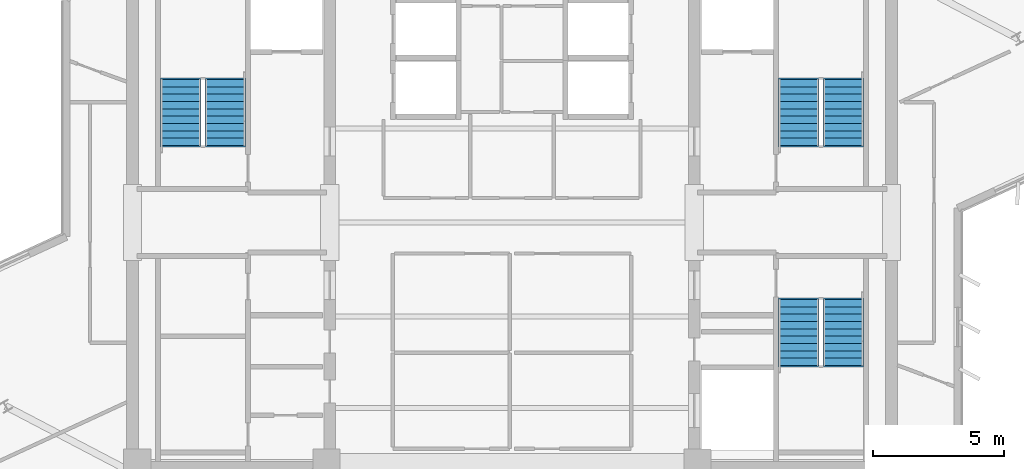
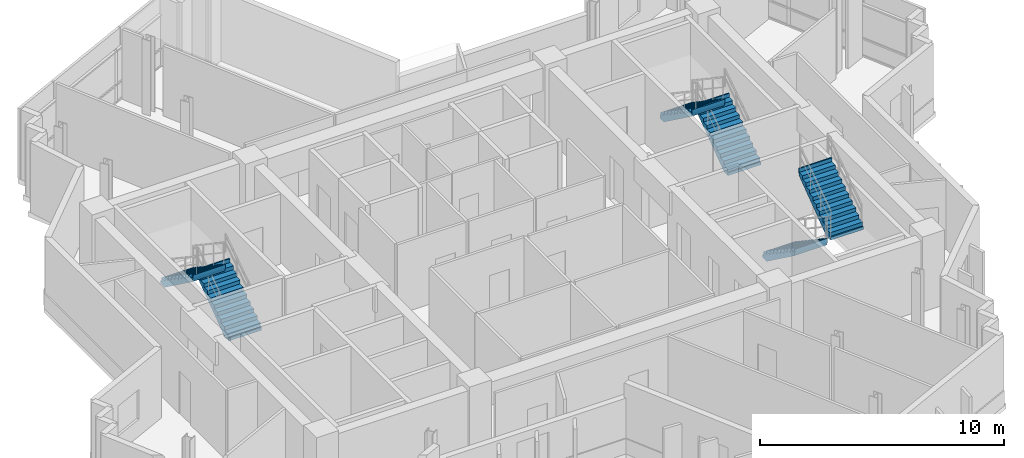
# One storey, part 9 of 12: 6 stair flights, 3 elements without a shape of their own.
"""IFC4 building model written with IfcOpenShell, lengths in metres."""

from ifc_helpers import new_model, si_unit, direction, frame, origin, place, context, subcontext, project, spatial, polyline, outline, extrude, material, type_object, element, aggregate, save


model = new_model("IFC4")

# Units and contexts
model_context = context("Model", 3, precision=1e-05, world=origin(), true_north=direction((0.0, 1.0)))
body_context = subcontext(model_context, "Body", "Model", "MODEL_VIEW")
ifc_project = project(units=[si_unit("LENGTHUNIT", "METRE"), si_unit("AREAUNIT", "SQUARE_METRE"), si_unit("VOLUMEUNIT", "CUBIC_METRE"), si_unit("PLANEANGLEUNIT", "RADIAN"), si_unit("MASSUNIT", "GRAM", prefix="KILO")], contexts=[model_context])

# Site, building, storey
site_placement = place(None, origin())
site = spatial("IfcSite", under=ifc_project, at=site_placement, CompositionType="ELEMENT")
building_placement = place(site_placement, origin())
building = spatial("IfcBuilding", under=site, at=building_placement, Name="Zahravan Cultural Tower", CompositionType="ELEMENT")
storey_placement = place(building_placement, frame((0.0, 0.0, 246.60009765625)))
storey = spatial("IfcBuildingStorey", under=building, at=storey_placement, Name="L58", CompositionType="ELEMENT", Elevation=246.60009765625)

# Stair, stair flights
ifc_material = material(Name="Concrete C45/55", Category="concrete")
stair_type = type_object("IfcStairType", Name="STR-DL-1550-375", PredefinedType="HALF_TURN_STAIR", material=ifc_material)
stair_1_placement = place(storey_placement, origin())
stair_1 = element("IfcStair", 1, at=stair_1_placement, inside=storey, type_object=stair_type, Name="L58 West Core North Exit Stair ST-W1", PredefinedType="HALF_TURN_STAIR")
stair_flight_type = type_object("IfcStairFlightType", Name="FLG-DL-1550-375", PredefinedType="STRAIGHT", material=ifc_material)
stair_flight_1_placement = place(storey_placement, frame((25.02490234375, 29.949951171875, 0.0), z_axis=(0.0, 0.0, 1.0), x_axis=(0.0, 1.0, 0.0)))
stair_flight_1 = element("IfcStairFlight", 2, at=stair_flight_1_placement, type_object=stair_flight_type, Name="ST-W1 flight 1", NumberOfRisers=10, NumberOfTreads=9, PredefinedType="STRAIGHT", RiserHeight=0.1875, TreadLength=0.28, context=body_context, shape_type="SweptSolid", body=[
    extrude(outline(polyline([(-0.06494140625, -0.139892578125), (-0.06494140625, 0.0), (0.0, 0.0), (0.0, 0.1875), (0.280029296875, 0.1875), (0.280029296875, 0.375), (0.56005859375, 0.375), (0.56005859375, 0.5625), (0.840087890625, 0.5625), (0.840087890625, 0.75), (1.1201171875, 0.75), (1.1201171875, 0.9375), (1.39990234375, 0.9375), (1.39990234375, 1.125), (1.679931640625, 1.125), (1.679931640625, 1.3125), (1.9599609375, 1.3125), (1.9599609375, 1.5), (2.239990234375, 1.5), (2.239990234375, 1.6875), (2.52001953125, 1.6875), (2.52001953125, 1.875), (2.5849609375, 1.875), (2.5849609375, 1.72509765625), (2.52001953125, 1.507080078125), (0.26953125, -0.139892578125), (-0.06494140625, -0.139892578125)])), frame((0.0, 0.77490234375, 0.0), z_axis=(0.0, -1.0, 0.0), x_axis=(1.0, 0.0, 0.0)), (0.0, 0.0, 1.0), 1.550048828125),
])
stair_flight_2_placement = place(storey_placement, frame((23.324951171875, 32.469970703125, 1.875), z_axis=(0.0, 0.0, 1.0), x_axis=(0.0, -1.0, 0.0)))
stair_flight_2 = element("IfcStairFlight", 3, at=stair_flight_2_placement, type_object=stair_flight_type, Name="ST-W1 flight 2", NumberOfRisers=10, NumberOfTreads=9, PredefinedType="STRAIGHT", RiserHeight=0.1875, TreadLength=0.28, context=body_context, shape_type="SweptSolid", body=[
    extrude(outline(polyline([(-0.06494140625, -0.139892578125), (-0.06494140625, 0.0), (0.0, 0.0), (0.0, 0.1875), (0.280029296875, 0.1875), (0.280029296875, 0.375), (0.56005859375, 0.375), (0.56005859375, 0.5625), (0.840087890625, 0.5625), (0.840087890625, 0.75), (1.1201171875, 0.75), (1.1201171875, 0.9375), (1.39990234375, 0.9375), (1.39990234375, 1.125), (1.679931640625, 1.125), (1.679931640625, 1.3125), (1.9599609375, 1.3125), (1.9599609375, 1.5), (2.239990234375, 1.5), (2.239990234375, 1.6875), (2.52001953125, 1.6875), (2.52001953125, 1.875), (2.5849609375, 1.875), (2.5849609375, 1.72509765625), (2.52001953125, 1.507080078125), (0.26953125, -0.139892578125), (-0.06494140625, -0.139892578125)])), frame((0.0, 0.77490234375, 0.0), z_axis=(0.0, -1.0, 0.0), x_axis=(1.0, 0.0, 0.0)), (0.0, 0.0, 1.0), 1.550048828125),
])
aggregate(stair_1, [stair_flight_1, stair_flight_2])

stair_2_placement = place(storey_placement, origin())
stair_2 = element("IfcStair", 4, at=stair_2_placement, inside=storey, type_object=stair_type, Name="L58 East Core North Exit Stair ST-E1", PredefinedType="HALF_TURN_STAIR")
stair_flight_3_placement = place(storey_placement, frame((48.675048828125, 29.949951171875, 0.0), z_axis=(0.0, 0.0, 1.0), x_axis=(0.0, 1.0, 0.0)))
stair_flight_3 = element("IfcStairFlight", 5, at=stair_flight_3_placement, type_object=stair_flight_type, Name="ST-E1 flight 1", NumberOfRisers=10, NumberOfTreads=9, PredefinedType="STRAIGHT", RiserHeight=0.1875, TreadLength=0.28, context=body_context, shape_type="SweptSolid", body=[
    extrude(outline(polyline([(-0.06494140625, -0.139892578125), (-0.06494140625, 0.0), (0.0, 0.0), (0.0, 0.1875), (0.280029296875, 0.1875), (0.280029296875, 0.375), (0.56005859375, 0.375), (0.56005859375, 0.5625), (0.840087890625, 0.5625), (0.840087890625, 0.75), (1.1201171875, 0.75), (1.1201171875, 0.9375), (1.39990234375, 0.9375), (1.39990234375, 1.125), (1.679931640625, 1.125), (1.679931640625, 1.3125), (1.9599609375, 1.3125), (1.9599609375, 1.5), (2.239990234375, 1.5), (2.239990234375, 1.6875), (2.52001953125, 1.6875), (2.52001953125, 1.875), (2.5849609375, 1.875), (2.5849609375, 1.72509765625), (2.52001953125, 1.507080078125), (0.26953125, -0.139892578125), (-0.06494140625, -0.139892578125)])), frame((0.0, 0.77490234375, 0.0), z_axis=(0.0, -1.0, 0.0), x_axis=(1.0, 0.0, 0.0)), (0.0, 0.0, 1.0), 1.550048828125),
])
stair_flight_4_placement = place(storey_placement, frame((46.97509765625, 32.469970703125, 1.875), z_axis=(0.0, 0.0, 1.0), x_axis=(0.0, -1.0, 0.0)))
stair_flight_4 = element("IfcStairFlight", 6, at=stair_flight_4_placement, type_object=stair_flight_type, Name="ST-E1 flight 2", NumberOfRisers=10, NumberOfTreads=9, PredefinedType="STRAIGHT", RiserHeight=0.1875, TreadLength=0.28, context=body_context, shape_type="SweptSolid", body=[
    extrude(outline(polyline([(-0.06494140625, -0.139892578125), (-0.06494140625, 0.0), (0.0, 0.0), (0.0, 0.1875), (0.280029296875, 0.1875), (0.280029296875, 0.375), (0.56005859375, 0.375), (0.56005859375, 0.5625), (0.840087890625, 0.5625), (0.840087890625, 0.75), (1.1201171875, 0.75), (1.1201171875, 0.9375), (1.39990234375, 0.9375), (1.39990234375, 1.125), (1.679931640625, 1.125), (1.679931640625, 1.3125), (1.9599609375, 1.3125), (1.9599609375, 1.5), (2.239990234375, 1.5), (2.239990234375, 1.6875), (2.52001953125, 1.6875), (2.52001953125, 1.875), (2.5849609375, 1.875), (2.5849609375, 1.72509765625), (2.52001953125, 1.507080078125), (0.26953125, -0.139892578125), (-0.06494140625, -0.139892578125)])), frame((0.0, 0.77490234375, 0.0), z_axis=(0.0, -1.0, 0.0), x_axis=(1.0, 0.0, 0.0)), (0.0, 0.0, 1.0), 1.550048828125),
])
aggregate(stair_2, [stair_flight_3, stair_flight_4])

stair_3_placement = place(storey_placement, origin())
stair_3 = element("IfcStair", 7, at=stair_3_placement, inside=storey, type_object=stair_type, Name="L58 East Core South Exit Stair ST-E2", PredefinedType="HALF_TURN_STAIR")
stair_flight_5_placement = place(storey_placement, frame((46.97509765625, 24.050048828125, 0.0), z_axis=(0.0, 0.0, 1.0), x_axis=(0.0, -1.0, 0.0)))
stair_flight_5 = element("IfcStairFlight", 8, at=stair_flight_5_placement, type_object=stair_flight_type, Name="ST-E2 flight 1", NumberOfRisers=10, NumberOfTreads=9, PredefinedType="STRAIGHT", RiserHeight=0.1875, TreadLength=0.28, context=body_context, shape_type="SweptSolid", body=[
    extrude(outline(polyline([(-0.06494140625, -0.139892578125), (-0.06494140625, 0.0), (0.0, 0.0), (0.0, 0.1875), (0.280029296875, 0.1875), (0.280029296875, 0.375), (0.56005859375, 0.375), (0.56005859375, 0.5625), (0.840087890625, 0.5625), (0.840087890625, 0.75), (1.1201171875, 0.75), (1.1201171875, 0.9375), (1.39990234375, 0.9375), (1.39990234375, 1.125), (1.679931640625, 1.125), (1.679931640625, 1.3125), (1.9599609375, 1.3125), (1.9599609375, 1.5), (2.239990234375, 1.5), (2.239990234375, 1.6875), (2.52001953125, 1.6875), (2.52001953125, 1.875), (2.5849609375, 1.875), (2.5849609375, 1.72509765625), (2.52001953125, 1.507080078125), (0.26953125, -0.139892578125), (-0.06494140625, -0.139892578125)])), frame((0.0, 0.77490234375, 0.0), z_axis=(0.0, -1.0, 0.0), x_axis=(1.0, 0.0, 0.0)), (0.0, 0.0, 1.0), 1.550048828125),
])
stair_flight_6_placement = place(storey_placement, frame((48.675048828125, 21.530029296875, 1.875), z_axis=(0.0, 0.0, 1.0), x_axis=(0.0, 1.0, 0.0)))
stair_flight_6 = element("IfcStairFlight", 9, at=stair_flight_6_placement, type_object=stair_flight_type, Name="ST-E2 flight 2", NumberOfRisers=10, NumberOfTreads=9, PredefinedType="STRAIGHT", RiserHeight=0.1875, TreadLength=0.28, context=body_context, shape_type="SweptSolid", body=[
    extrude(outline(polyline([(-0.06494140625, -0.139892578125), (-0.06494140625, 0.0), (0.0, 0.0), (0.0, 0.1875), (0.280029296875, 0.1875), (0.280029296875, 0.375), (0.56005859375, 0.375), (0.56005859375, 0.5625), (0.840087890625, 0.5625), (0.840087890625, 0.75), (1.1201171875, 0.75), (1.1201171875, 0.9375), (1.39990234375, 0.9375), (1.39990234375, 1.125), (1.679931640625, 1.125), (1.679931640625, 1.3125), (1.9599609375, 1.3125), (1.9599609375, 1.5), (2.239990234375, 1.5), (2.239990234375, 1.6875), (2.52001953125, 1.6875), (2.52001953125, 1.875), (2.5849609375, 1.875), (2.5849609375, 1.72509765625), (2.52001953125, 1.507080078125), (0.26953125, -0.139892578125), (-0.06494140625, -0.139892578125)])), frame((0.0, 0.77490234375, 0.0), z_axis=(0.0, -1.0, 0.0), x_axis=(1.0, 0.0, 0.0)), (0.0, 0.0, 1.0), 1.550048828125),
])
aggregate(stair_3, [stair_flight_5, stair_flight_6])

save(model, "model.ifc")
